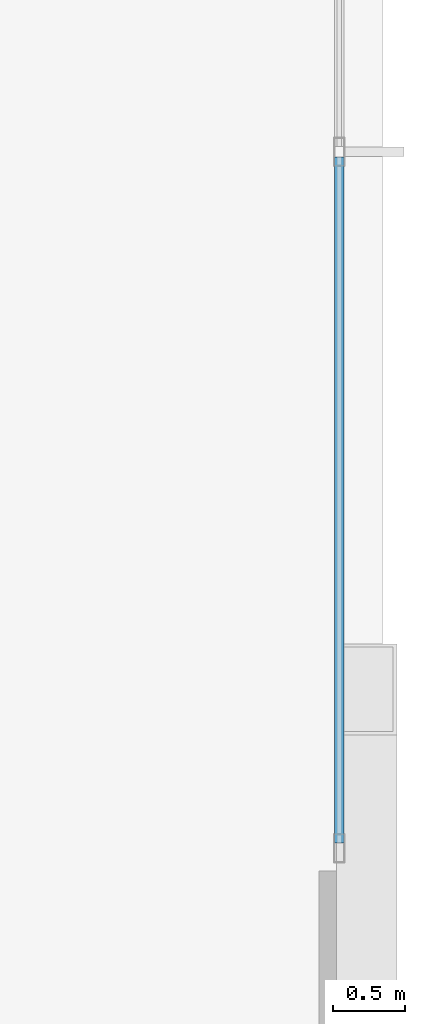
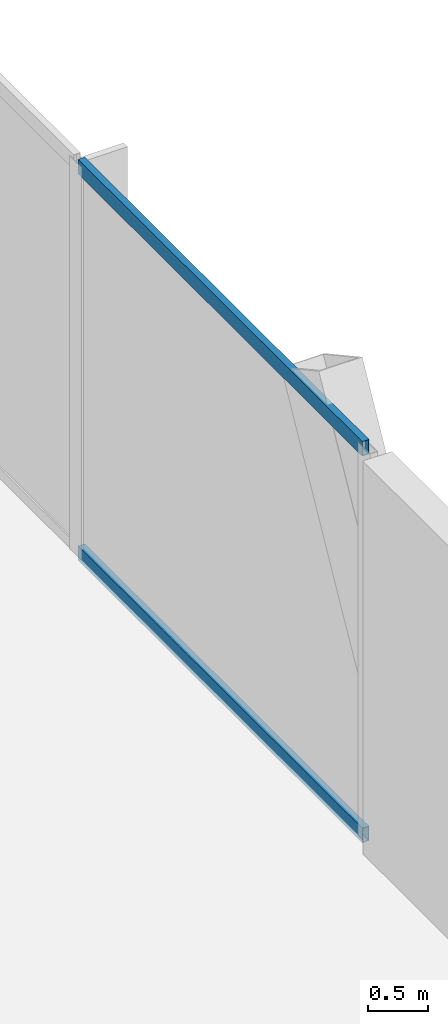
# One storey, part 29 of 42: 2 members, 1 element without a shape of its own.
"""IFC4 building model written with IfcOpenShell, lengths in metres."""

from ifc_helpers import new_model, si_unit, direction, frame, origin, origin_2d, place, context, subcontext, project, spatial, hollow_rectangle, extrude, material, layer, layer_set, material_profile, profile_set, type_object, element, aggregate, save


model = new_model("IFC4")

# Units and contexts
model_context = context("Model", 3, precision=1e-05, world=origin(), true_north=direction((0.0, 1.0)))
body_context = subcontext(model_context, "Body", "Model", "MODEL_VIEW")
ifc_project = project(units=[si_unit("LENGTHUNIT", "METRE"), si_unit("AREAUNIT", "SQUARE_METRE"), si_unit("VOLUMEUNIT", "CUBIC_METRE"), si_unit("PLANEANGLEUNIT", "RADIAN"), si_unit("MASSUNIT", "GRAM", prefix="KILO")], contexts=[model_context])

# Site, building, storey
site_placement = place(None, origin())
site = spatial("IfcSite", under=ifc_project, at=site_placement, CompositionType="ELEMENT")
building_placement = place(site_placement, origin())
building = spatial("IfcBuilding", under=site, at=building_placement, Name="Orvanel Arch Residences", CompositionType="ELEMENT")
storey_placement = place(building_placement, frame((0.0, 0.0, 5.5)))
storey = spatial("IfcBuildingStorey", under=building, at=storey_placement, Name="L01", CompositionType="ELEMENT", Elevation=5.5)

# Curtain wall, members
ifc_material = material(Name="Bronze-anodised aluminium AA6063-T6", Category="aluminium")
ifc_layer = layer(ifc_material, 0.199951171875)
ifc_layer_set = layer_set([ifc_layer], Name="Bronze-anodised aluminium AA6063-T6")
curtain_wall_type = type_object("IfcCurtainWallType", Name="CW1-POD-SYS", PredefinedType="NOTDEFINED", material=ifc_layer_set)
curtain_wall_placement = place(storey_placement, origin())
curtain_wall = element("IfcCurtainWall", 1, at=curtain_wall_placement, inside=storey, type_object=curtain_wall_type, Name="L01 CW1-POD-SYS Unitised Curtain Wall", PredefinedType="NOTDEFINED")
ifc_material_profile = material_profile(ifc_material, hollow_rectangle(XDim=0.06494140625, YDim=0.14990234375, WallThickness=0.00390625, at=origin_2d()), Name="ALU150x65x4")
ifc_profile_set = profile_set([ifc_material_profile], Name="Bronze-anodised aluminium AA6063-T6")
member_type = type_object("IfcMemberType", Name="TRN-150x65", PredefinedType="USERDEFINED", material=ifc_profile_set)
member_1_placement = place(storey_placement, frame((64.449951171875, 44.715087890625, 0.032470703125), z_axis=(0.0, 1.0, 0.0), x_axis=(-1.0, 0.0, 0.0)))
member_1 = element("IfcMember", 2, at=member_1_placement, type_object=member_type, Name="CW-S1 transom 1.1", ObjectType="TRANSOM", PredefinedType="USERDEFINED", context=body_context, shape_type="SweptSolid", body=[
    extrude(hollow_rectangle(XDim=0.06494140625, YDim=0.14990234375, WallThickness=0.00390625, at=origin_2d()), origin(), (0.0, 0.0, 1.0), 4.762451171875),
])
member_2_placement = place(storey_placement, frame((64.449951171875, 44.715087890625, 3.987548828125), z_axis=(0.0, 1.0, 0.0), x_axis=(-1.0, 0.0, 0.0)))
member_2 = element("IfcMember", 3, at=member_2_placement, type_object=member_type, Name="CW-S1 transom 1.2", ObjectType="TRANSOM", PredefinedType="USERDEFINED", context=body_context, shape_type="SweptSolid", body=[
    extrude(hollow_rectangle(XDim=0.06494140625, YDim=0.14990234375, WallThickness=0.00390625, at=origin_2d()), origin(), (0.0, 0.0, 1.0), 4.762451171875),
])
aggregate(curtain_wall, [member_1, member_2])

save(model, "model.ifc")
